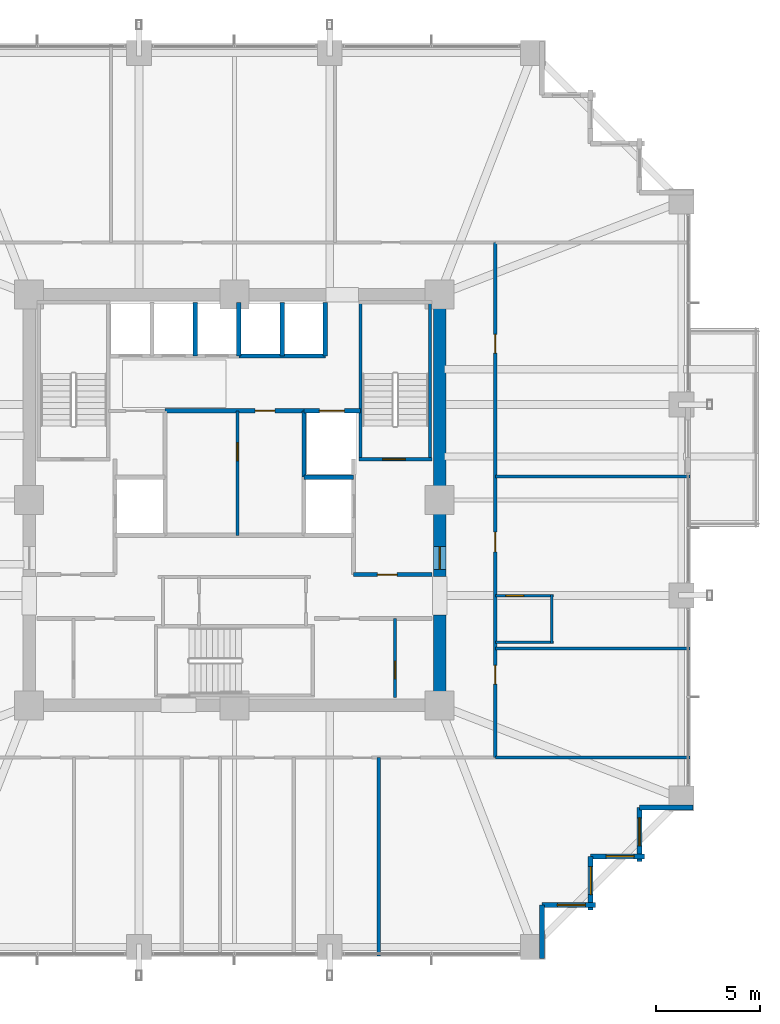
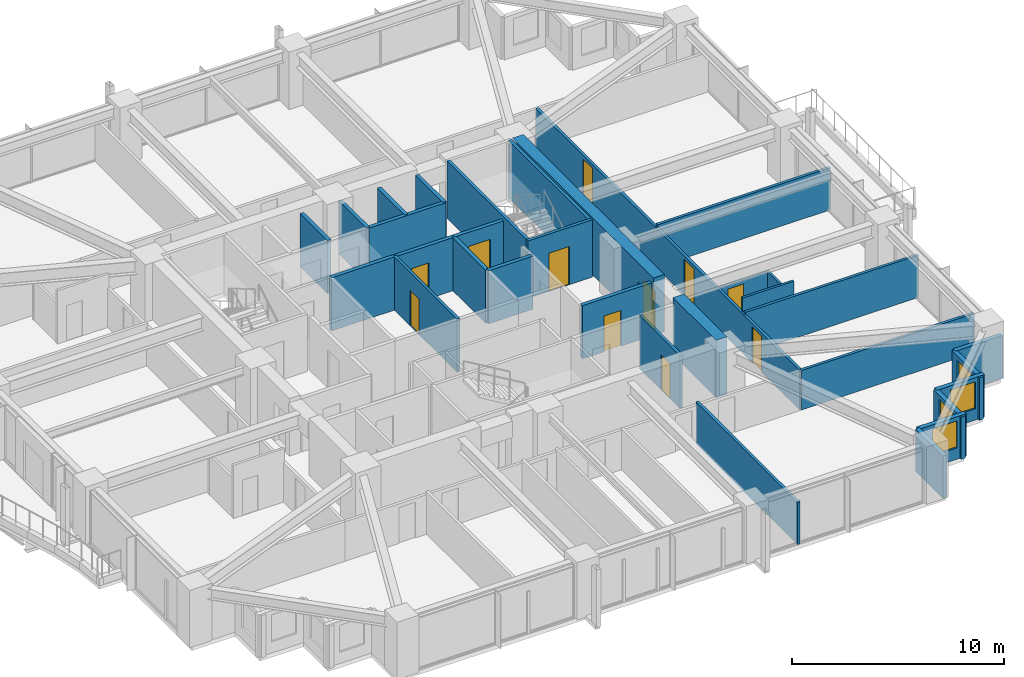
# One storey, part 34 of 38: 31 walls, 11 doors, 4 windows, 15 openings.
"""IFC4 building model written with IfcOpenShell, lengths in metres."""

from ifc_helpers import new_model, si_unit, direction, frame, frame_2d, origin, place, context, subcontext, project, spatial, rectangle, extrude, material, layer, layer_set, type_object, element, fill, save


model = new_model("IFC4")

# Units and contexts
model_context = context("Model", 3, precision=1e-05, world=origin(), true_north=direction((0.0, 1.0)))
body_context = subcontext(model_context, "Body", "Model", "MODEL_VIEW")
ifc_project = project(units=[si_unit("LENGTHUNIT", "METRE"), si_unit("AREAUNIT", "SQUARE_METRE"), si_unit("VOLUMEUNIT", "CUBIC_METRE"), si_unit("PLANEANGLEUNIT", "RADIAN"), si_unit("MASSUNIT", "GRAM", prefix="KILO")], contexts=[model_context])

# Site, building, storey
site_placement = place(None, origin())
site = spatial("IfcSite", under=ifc_project, at=site_placement, CompositionType="ELEMENT")
building_placement = place(site_placement, origin())
building = spatial("IfcBuilding", under=site, at=building_placement, Name="Kolvaren Belvedere", CompositionType="ELEMENT")
storey_placement = place(building_placement, frame((0.0, 0.0, 53.5)))
storey = spatial("IfcBuildingStorey", under=building, at=storey_placement, Name="L15", CompositionType="ELEMENT", Elevation=53.5)

# Wall
ifc_material_1 = material(Name="Concrete C60/75", Category="concrete")
ifc_layer_1 = layer(ifc_material_1, 0.60009765625)
ifc_layer_set_1 = layer_set([ifc_layer_1], Name="Concrete C60/75")
wall_type_1 = type_object("IfcWallType", Name="CW-CORE-600", PredefinedType="SHEAR", material=ifc_layer_set_1)
wall_1_placement = place(storey_placement, frame((9.89990234375, -9.60009765625, 0.0), z_axis=(0.0, 0.0, 1.0), x_axis=(0.0, 1.0, 0.0)))
element("IfcWall", 1, at=wall_1_placement, inside=storey, type_object=wall_type_1, Name="L15 East Core Shear Wall 1", PredefinedType="SHEAR", context=body_context, shape_type="SweptSolid", body=[
    extrude(rectangle(XDim=4.050048828125, YDim=0.60009765625, at=frame_2d((2.02490234375, 0.0))), origin(), (0.0, 0.0, 1.0), 3.300048828125),
])

# Wall, opening, door
wall_2_placement = place(storey_placement, frame((9.89990234375, -3.699951171875, 0.0), z_axis=(0.0, 0.0, 1.0), x_axis=(0.0, 1.0, 0.0)))
wall_2 = element("IfcWall", 2, at=wall_2_placement, inside=storey, type_object=wall_type_1, Name="L15 East Core Shear Wall 2", PredefinedType="SHEAR", context=body_context, shape_type="SweptSolid", body=[
    extrude(rectangle(XDim=13.300048828125, YDim=0.60009765625, at=frame_2d((6.64990234375, 0.0))), origin(), (0.0, 0.0, 1.0), 3.300048828125),
])
opening_1_placement = place(wall_2_placement, frame((0.35009765625, 0.0, 0.0)))
opening_1 = element("IfcOpeningElement", 3, at=opening_1_placement, cuts=wall_2, Name="Opening D-FD90", PredefinedType="OPENING", context=body_context, shape_type="SweptSolid", body=[
    extrude(rectangle(XDim=1.10009765625, YDim=2.199951171875, at=frame_2d((0.550048828125, 1.10009765625))), frame((0.0, 0.31005859375, 0.0), z_axis=(0.0, -1.0, 0.0), x_axis=(1.0, 0.0, 0.0)), (0.0, 0.0, 1.0), 0.6201171875),
])
ifc_material_2 = material(Name="Painted hollow stainless steel", Category="steel")
door_type_1 = type_object("IfcDoorType", Name="DR-FD90-1100", OperationType="NOTDEFINED", PredefinedType="DOOR", material=ifc_material_2)
door_1_placement = place(opening_1_placement, origin())
door_1 = element("IfcDoor", 4, at=door_1_placement, inside=storey, type_object=door_type_1, Name="L15 East Firefighting Lobby Fire Door", OperationType="SINGLE_SWING_RIGHT", OverallHeight=2.199951171875, OverallWidth=1.10009765625, PredefinedType="DOOR", context=body_context, shape_type="SweptSolid", body=[
    extrude(rectangle(XDim=1.10009765625, YDim=2.199951171875, at=frame_2d((0.550048828125, 1.10009765625))), frame((0.0, 0.02490234375, 0.0), z_axis=(0.0, -1.0, 0.0), x_axis=(1.0, 0.0, 0.0)), (0.0, 0.0, 1.0), 0.050048828125),
])
fill(opening_1, door_1)

ifc_material_3 = material(Name="Concrete C50/60", Category="concrete")
ifc_layer_2 = layer(ifc_material_3, 0.159912109375)
ifc_layer_set_2 = layer_set([ifc_layer_2], Name="Concrete C50/60")
wall_type_2 = type_object("IfcWallType", Name="CW-STAIR-160", PredefinedType="SHEAR", material=ifc_layer_set_2)
wall_3_placement = place(storey_placement, frame((6.0, 1.969970703125, 0.0), z_axis=(0.0, 0.0, 1.0), x_axis=(1.0, 0.0, 0.0)))
wall_3 = element("IfcWall", 5, at=wall_3_placement, inside=storey, type_object=wall_type_2, Name="L15 Stair ST-2 South Shear Wall", PredefinedType="SHEAR", context=body_context, shape_type="SweptSolid", body=[
    extrude(rectangle(XDim=3.52001953125, YDim=0.159912109375, at=frame_2d((1.760009765625, 0.0))), origin(), (0.0, 0.0, 1.0), 3.300048828125),
])
opening_2_placement = place(wall_3_placement, frame((1.14990234375, 0.0, 0.0)))
opening_2 = element("IfcOpeningElement", 6, at=opening_2_placement, cuts=wall_3, Name="Opening D-FD90", PredefinedType="OPENING", context=body_context, shape_type="SweptSolid", body=[
    extrude(rectangle(XDim=1.10009765625, YDim=2.199951171875, at=frame_2d((0.550048828125, 1.10009765625))), frame((0.0, 0.08984375, 0.0), z_axis=(0.0, -1.0, 0.0), x_axis=(1.0, 0.0, 0.0)), (0.0, 0.0, 1.0), 0.179931640625),
])
door_2_placement = place(opening_2_placement, origin())
door_2 = element("IfcDoor", 7, at=door_2_placement, inside=storey, type_object=door_type_1, Name="L15 Stair ST-2 Fire Door", OperationType="SINGLE_SWING_RIGHT", OverallHeight=2.199951171875, OverallWidth=1.10009765625, PredefinedType="DOOR", context=body_context, shape_type="SweptSolid", body=[
    extrude(rectangle(XDim=1.10009765625, YDim=2.199951171875, at=frame_2d((0.550048828125, 1.10009765625))), frame((0.0, 0.02490234375, 0.0), z_axis=(0.0, -1.0, 0.0), x_axis=(1.0, 0.0, 0.0)), (0.0, 0.0, 1.0), 0.050048828125),
])
fill(opening_2, door_2)

# Walls
for number, where, z_axis, x_axis, name in (
    (8, (6.080078125, 1.969970703125, 0.0), (0.0, 0.0, 1.0), (0.0, 1.0, 0.0), "L15 Stair ST-2 West Shear Wall"),
    (9, (9.429931640625, 1.969970703125, 0.0), (0.0, 0.0, 1.0), (0.0, 1.0, 0.0), "L15 Stair ST-2 East Shear Wall"),
):
    element("IfcWall", number, at=place(storey_placement, frame(where, z_axis=z_axis, x_axis=x_axis)), inside=storey, type_object=wall_type_2, Name=name, PredefinedType="SHEAR", context=body_context, shape_type="SweptSolid", body=[
        extrude(rectangle(XDim=7.56005859375, YDim=0.159912109375, at=frame_2d((3.780029296875, 0.0))), origin(), (0.0, 0.0, 1.0), 3.300048828125),
    ])

# Wall, openings, doors
ifc_material_4 = material(Name="Gypsum fire-rated partition assembly", Category="gypsum")
ifc_layer_3 = layer(ifc_material_4, 0.14990234375)
ifc_layer_set_3 = layer_set([ifc_layer_3], Name="Gypsum fire-rated partition assembly")
wall_type_3 = type_object("IfcWallType", Name="WL-CORR-150", PredefinedType="PARTITIONING", material=ifc_layer_set_3)
wall_4_placement = place(storey_placement, frame((12.580078125, -12.419921875, 0.0), z_axis=(0.0, 0.0, 1.0), x_axis=(0.0, 1.0, 0.0)))
wall_4 = element("IfcWall", 10, at=wall_4_placement, inside=storey, type_object=wall_type_3, Name="L15 East Corridor Wall", PredefinedType="PARTITIONING", context=body_context, shape_type="SweptSolid", body=[
    extrude(rectangle(XDim=24.83984375, YDim=0.14990234375, at=frame_2d((12.419921875, 0.0))), origin(), (0.0, 0.0, 1.0), 2.27197265625),
])
opening_3_placement = place(wall_4_placement, frame((3.5419921875, 0.0, 0.0)))
opening_3 = element("IfcOpeningElement", 11, at=opening_3_placement, cuts=wall_4, Name="Opening D-INT90", PredefinedType="OPENING", context=body_context, shape_type="SweptSolid", body=[
    extrude(rectangle(XDim=0.89990234375, YDim=2.06005859375, at=frame_2d((0.449951171875, 1.030029296875))), frame((0.0, 0.0849609375, 0.0), z_axis=(0.0, -1.0, 0.0), x_axis=(1.0, 0.0, 0.0)), (0.0, 0.0, 1.0), 0.169921875),
])
opening_4_placement = place(wall_4_placement, frame((9.9150390625, 0.0, 0.0)))
opening_4 = element("IfcOpeningElement", 12, at=opening_4_placement, cuts=wall_4, Name="Opening D-FD60", PredefinedType="OPENING", context=body_context, shape_type="SweptSolid", body=[
    extrude(rectangle(XDim=0.949951171875, YDim=2.06005859375, at=frame_2d((0.47509765625, 1.030029296875))), frame((0.0, 0.0849609375, 0.0), z_axis=(0.0, -1.0, 0.0), x_axis=(1.0, 0.0, 0.0)), (0.0, 0.0, 1.0), 0.169921875),
])
opening_5_placement = place(wall_4_placement, frame((19.5048828125, 0.0, 0.0)))
opening_5 = element("IfcOpeningElement", 13, at=opening_5_placement, cuts=wall_4, Name="Opening D-INT90", PredefinedType="OPENING", context=body_context, shape_type="SweptSolid", body=[
    extrude(rectangle(XDim=0.89990234375, YDim=2.06005859375, at=frame_2d((0.449951171875, 1.030029296875))), frame((0.0, 0.0849609375, 0.0), z_axis=(0.0, -1.0, 0.0), x_axis=(1.0, 0.0, 0.0)), (0.0, 0.0, 1.0), 0.169921875),
])
ifc_material_5 = material(Name="Acoustic white-oak fire door leaf", Category="timber")
door_type_2 = type_object("IfcDoorType", Name="DR-FD60-950", OperationType="NOTDEFINED", PredefinedType="DOOR", material=ifc_material_5)
door_3_placement = place(opening_4_placement, origin())
door_3 = element("IfcDoor", 14, at=door_3_placement, inside=storey, type_object=door_type_2, Name="L15 Botanical Hospitality Suite 1506 Entry Door", OperationType="SINGLE_SWING_LEFT", OverallHeight=2.06005859375, OverallWidth=0.949951171875, PredefinedType="DOOR", context=body_context, shape_type="SweptSolid", body=[
    extrude(rectangle(XDim=0.949951171875, YDim=2.06005859375, at=frame_2d((0.47509765625, 1.030029296875))), frame((0.0, 0.02490234375, 0.0), z_axis=(0.0, -1.0, 0.0), x_axis=(1.0, 0.0, 0.0)), (0.0, 0.0, 1.0), 0.050048828125),
])
fill(opening_4, door_3)
ifc_material_6 = material(Name="Stained Pacific white oak", Category="timber")
door_type_3 = type_object("IfcDoorType", Name="DR-INT-900", OperationType="NOTDEFINED", PredefinedType="DOOR", material=ifc_material_6)
door_4_placement = place(opening_3_placement, origin())
door_4 = element("IfcDoor", 15, at=door_4_placement, inside=storey, type_object=door_type_3, Name="L15 Private Hospitality Meeting Room 1505 Door", OperationType="SINGLE_SWING_LEFT", OverallHeight=2.06005859375, OverallWidth=0.89990234375, PredefinedType="DOOR", context=body_context, shape_type="SweptSolid", body=[
    extrude(rectangle(XDim=0.89990234375, YDim=2.06005859375, at=frame_2d((0.449951171875, 1.030029296875))), frame((0.0, 0.02490234375, 0.0), z_axis=(0.0, -1.0, 0.0), x_axis=(1.0, 0.0, 0.0)), (0.0, 0.0, 1.0), 0.050048828125),
])
fill(opening_3, door_4)
door_5_placement = place(opening_5_placement, origin())
door_5 = element("IfcDoor", 16, at=door_5_placement, inside=storey, type_object=door_type_3, Name="L15 Lounge 1507 Door", OperationType="SINGLE_SWING_RIGHT", OverallHeight=2.06005859375, OverallWidth=0.89990234375, PredefinedType="DOOR", context=body_context, shape_type="SweptSolid", body=[
    extrude(rectangle(XDim=0.89990234375, YDim=2.06005859375, at=frame_2d((0.449951171875, 1.030029296875))), frame((0.0, 0.02490234375, 0.0), z_axis=(0.0, -1.0, 0.0), x_axis=(1.0, 0.0, 0.0)), (0.0, 0.0, 1.0), 0.050048828125),
])
fill(opening_5, door_5)

# Wall
ifc_material_7 = material(Name="Insulated pale-metal facade wall assembly", Category="aluminium")
ifc_layer_4 = layer(ifc_material_7, 0.239990234375)
ifc_layer_set_4 = layer_set([ifc_layer_4], Name="Insulated pale-metal facade wall assembly")
wall_type_4 = type_object("IfcWallType", Name="WL-EXT-240", PredefinedType="STANDARD", material=ifc_layer_set_4)
wall_5_placement = place(storey_placement, frame((14.830078125, -19.530029296875, 0.0), z_axis=(0.0, 0.0, 1.0), x_axis=(0.0, -1.0, 0.0)))
element("IfcWall", 17, at=wall_5_placement, inside=storey, type_object=wall_type_4, Name="L15 Serrated Corner Facade Wall 2", PredefinedType="STANDARD", context=body_context, shape_type="SweptSolid", body=[
    extrude(rectangle(XDim=2.590087890625, YDim=0.239990234375, at=frame_2d((1.294921875, 0.0))), origin(), (0.0, 0.0, 1.0), 2.43896484375),
])

# Wall, opening, window
wall_6_placement = place(storey_placement, frame((17.419921875, -19.530029296875, 0.0), z_axis=(0.0, 0.0, 1.0), x_axis=(-1.0, 0.0, 0.0)))
wall_6 = element("IfcWall", 18, at=wall_6_placement, inside=storey, type_object=wall_type_4, Name="L15 Serrated Corner Facade Wall 3", PredefinedType="STANDARD", context=body_context, shape_type="SweptSolid", body=[
    extrude(rectangle(XDim=2.58984375, YDim=0.239990234375, at=frame_2d((1.294921875, 0.0))), origin(), (0.0, 0.0, 1.0), 2.43896484375),
])
opening_6_placement = place(wall_6_placement, frame((0.5, 0.0, 0.64990234375)))
opening_6 = element("IfcOpeningElement", 19, at=opening_6_placement, cuts=wall_6, Name="Opening W-1350", PredefinedType="OPENING", context=body_context, shape_type="SweptSolid", body=[
    extrude(rectangle(XDim=1.35009765625, YDim=1.550048828125, at=frame_2d((0.675048828125, 0.77490234375))), frame((0.0, 0.1298828125, 0.0), z_axis=(0.0, -1.0, 0.0), x_axis=(1.0, 0.0, 0.0)), (0.0, 0.0, 1.0), 0.260009765625),
])
ifc_material_8 = material(Name="Low-iron triple insulated glass", Category="glass")
window_type = type_object("IfcWindowType", Name="WN-CORN-1350", PartitioningType="SINGLE_PANEL", PredefinedType="WINDOW", material=ifc_material_8)
window_1_placement = place(opening_6_placement, origin())
window_1 = element("IfcWindow", 20, at=window_1_placement, inside=storey, type_object=window_type, Name="L15 Serrated Corner Vision Window 3", OverallHeight=1.550048828125, OverallWidth=1.35009765625, PartitioningType="SINGLE_PANEL", PredefinedType="WINDOW", context=body_context, shape_type="SweptSolid", body=[
    extrude(rectangle(XDim=1.35009765625, YDim=1.550048828125, at=frame_2d((0.675048828125, 0.77490234375))), frame((0.0, 0.030029296875, 0.0), z_axis=(0.0, -1.0, 0.0), x_axis=(1.0, 0.0, 0.0)), (0.0, 0.0, 1.0), 0.06005859375),
])
fill(opening_6, window_1)

wall_7_placement = place(storey_placement, frame((17.179931640625, -17.179931640625, 0.0), z_axis=(0.0, 0.0, 1.0), x_axis=(0.0, -1.0, 0.0)))
wall_7 = element("IfcWall", 21, at=wall_7_placement, inside=storey, type_object=wall_type_4, Name="L15 Serrated Corner Facade Wall 4", PredefinedType="STANDARD", context=body_context, shape_type="SweptSolid", body=[
    extrude(rectangle(XDim=2.590087890625, YDim=0.239990234375, at=frame_2d((1.294921875, 0.0))), origin(), (0.0, 0.0, 1.0), 2.43896484375),
])
opening_7_placement = place(wall_7_placement, frame((0.5, 0.0, 0.64990234375)))
opening_7 = element("IfcOpeningElement", 22, at=opening_7_placement, cuts=wall_7, Name="Opening W-1350", PredefinedType="OPENING", context=body_context, shape_type="SweptSolid", body=[
    extrude(rectangle(XDim=1.35009765625, YDim=1.550048828125, at=frame_2d((0.675048828125, 0.77490234375))), frame((0.0, 0.1298828125, 0.0), z_axis=(0.0, -1.0, 0.0), x_axis=(1.0, 0.0, 0.0)), (0.0, 0.0, 1.0), 0.260009765625),
])
window_2_placement = place(opening_7_placement, origin())
window_2 = element("IfcWindow", 23, at=window_2_placement, inside=storey, type_object=window_type, Name="L15 Serrated Corner Vision Window 4", OverallHeight=1.550048828125, OverallWidth=1.35009765625, PartitioningType="SINGLE_PANEL", PredefinedType="WINDOW", context=body_context, shape_type="SweptSolid", body=[
    extrude(rectangle(XDim=1.35009765625, YDim=1.550048828125, at=frame_2d((0.675048828125, 0.77490234375))), frame((0.0, 0.030029296875, 0.0), z_axis=(0.0, -1.0, 0.0), x_axis=(1.0, 0.0, 0.0)), (0.0, 0.0, 1.0), 0.06005859375),
])
fill(opening_7, window_2)

wall_8_placement = place(storey_placement, frame((19.77001953125, -17.179931640625, 0.0), z_axis=(0.0, 0.0, 1.0), x_axis=(-1.0, 0.0, 0.0)))
wall_8 = element("IfcWall", 24, at=wall_8_placement, inside=storey, type_object=wall_type_4, Name="L15 Serrated Corner Facade Wall 5", PredefinedType="STANDARD", context=body_context, shape_type="SweptSolid", body=[
    extrude(rectangle(XDim=2.590087890625, YDim=0.239990234375, at=frame_2d((1.294921875, 0.0))), origin(), (0.0, 0.0, 1.0), 2.43896484375),
])
opening_8_placement = place(wall_8_placement, frame((0.5, 0.0, 0.64990234375)))
opening_8 = element("IfcOpeningElement", 25, at=opening_8_placement, cuts=wall_8, Name="Opening W-1350", PredefinedType="OPENING", context=body_context, shape_type="SweptSolid", body=[
    extrude(rectangle(XDim=1.35009765625, YDim=1.550048828125, at=frame_2d((0.675048828125, 0.77490234375))), frame((0.0, 0.1298828125, 0.0), z_axis=(0.0, -1.0, 0.0), x_axis=(1.0, 0.0, 0.0)), (0.0, 0.0, 1.0), 0.260009765625),
])
window_3_placement = place(opening_8_placement, origin())
window_3 = element("IfcWindow", 26, at=window_3_placement, inside=storey, type_object=window_type, Name="L15 Serrated Corner Vision Window 5", OverallHeight=1.550048828125, OverallWidth=1.35009765625, PartitioningType="SINGLE_PANEL", PredefinedType="WINDOW", context=body_context, shape_type="SweptSolid", body=[
    extrude(rectangle(XDim=1.35009765625, YDim=1.550048828125, at=frame_2d((0.675048828125, 0.77490234375))), frame((0.0, 0.030029296875, 0.0), z_axis=(0.0, -1.0, 0.0), x_axis=(1.0, 0.0, 0.0)), (0.0, 0.0, 1.0), 0.06005859375),
])
fill(opening_8, window_3)

wall_9_placement = place(storey_placement, frame((19.530029296875, -14.830078125, 0.0), z_axis=(0.0, 0.0, 1.0), x_axis=(0.0, -1.0, 0.0)))
wall_9 = element("IfcWall", 27, at=wall_9_placement, inside=storey, type_object=wall_type_4, Name="L15 Serrated Corner Facade Wall 6", PredefinedType="STANDARD", context=body_context, shape_type="SweptSolid", body=[
    extrude(rectangle(XDim=2.58984375, YDim=0.239990234375, at=frame_2d((1.294921875, 0.0))), origin(), (0.0, 0.0, 1.0), 2.43896484375),
])
opening_9_placement = place(wall_9_placement, frame((0.5, 0.0, 0.64990234375)))
opening_9 = element("IfcOpeningElement", 28, at=opening_9_placement, cuts=wall_9, Name="Opening W-1350", PredefinedType="OPENING", context=body_context, shape_type="SweptSolid", body=[
    extrude(rectangle(XDim=1.35009765625, YDim=1.550048828125, at=frame_2d((0.675048828125, 0.77490234375))), frame((0.0, 0.1298828125, 0.0), z_axis=(0.0, -1.0, 0.0), x_axis=(1.0, 0.0, 0.0)), (0.0, 0.0, 1.0), 0.260009765625),
])
window_4_placement = place(opening_9_placement, origin())
window_4 = element("IfcWindow", 29, at=window_4_placement, inside=storey, type_object=window_type, Name="L15 Serrated Corner Vision Window 6", OverallHeight=1.550048828125, OverallWidth=1.35009765625, PartitioningType="SINGLE_PANEL", PredefinedType="WINDOW", context=body_context, shape_type="SweptSolid", body=[
    extrude(rectangle(XDim=1.35009765625, YDim=1.550048828125, at=frame_2d((0.675048828125, 0.77490234375))), frame((0.0, 0.030029296875, 0.0), z_axis=(0.0, -1.0, 0.0), x_axis=(1.0, 0.0, 0.0)), (0.0, 0.0, 1.0), 0.06005859375),
])
fill(opening_9, window_4)

# Wall
wall_10_placement = place(storey_placement, frame((22.1201171875, -14.830078125, 0.0), z_axis=(0.0, 0.0, 1.0), x_axis=(-1.0, 0.0, 0.0)))
element("IfcWall", 30, at=wall_10_placement, inside=storey, type_object=wall_type_4, Name="L15 Serrated Corner Facade Wall 7", PredefinedType="STANDARD", context=body_context, shape_type="SweptSolid", body=[
    extrude(rectangle(XDim=2.590087890625, YDim=0.239990234375, at=frame_2d((1.294921875, 0.0))), origin(), (0.0, 0.0, 1.0), 2.43896484375),
])

# Wall, opening, door
ifc_material_9 = material(Name="Gypsum acoustic partition assembly", Category="gypsum")
ifc_layer_5 = layer(ifc_material_9, 0.14990234375)
ifc_layer_set_5 = layer_set([ifc_layer_5], Name="Gypsum acoustic partition assembly")
wall_type_5 = type_object("IfcWallType", Name="WL-PART-150", PredefinedType="PARTITIONING", material=ifc_layer_set_5)
wall_11_placement = place(storey_placement, frame((7.75, -9.52001953125, 0.0), z_axis=(0.0, 0.0, 1.0), x_axis=(0.0, 1.0, 0.0)))
wall_11 = element("IfcWall", 31, at=wall_11_placement, inside=storey, type_object=wall_type_5, Name="L15 SE Core Asymmetric Divider", PredefinedType="PARTITIONING", context=body_context, shape_type="SweptSolid", body=[
    extrude(rectangle(XDim=3.800048828125, YDim=0.14990234375, at=frame_2d((1.89990234375, 0.0))), origin(), (0.0, 0.0, 1.0), 3.06005859375),
])
opening_10_placement = place(wall_11_placement, frame((0.89990234375, 0.0, 0.0)))
opening_10 = element("IfcOpeningElement", 32, at=opening_10_placement, cuts=wall_11, Name="Opening D-INT85", PredefinedType="OPENING", context=body_context, shape_type="SweptSolid", body=[
    extrude(rectangle(XDim=0.85009765625, YDim=2.030029296875, at=frame_2d((0.425048828125, 1.01513671875))), frame((0.0, 0.0849609375, 0.0), z_axis=(0.0, -1.0, 0.0), x_axis=(1.0, 0.0, 0.0)), (0.0, 0.0, 1.0), 0.169921875),
])
ifc_material_10 = material(Name="Stained Pacific white oak", Category="timber")
door_type_4 = type_object("IfcDoorType", Name="DR-INT-850", OperationType="NOTDEFINED", PredefinedType="DOOR", material=ifc_material_10)
door_6_placement = place(opening_10_placement, origin())
door_6 = element("IfcDoor", 33, at=door_6_placement, inside=storey, type_object=door_type_4, Name="L15 SE Janitor Door", OperationType="SINGLE_SWING_LEFT", OverallHeight=2.030029296875, OverallWidth=0.85009765625, PredefinedType="DOOR", context=body_context, shape_type="SweptSolid", body=[
    extrude(rectangle(XDim=0.85009765625, YDim=2.030029296875, at=frame_2d((0.425048828125, 1.01513671875))), frame((0.0, 0.02490234375, 0.0), z_axis=(0.0, -1.0, 0.0), x_axis=(1.0, 0.0, 0.0)), (0.0, 0.0, 1.0), 0.050048828125),
])
fill(opening_10, door_6)

wall_12_placement = place(storey_placement, frame((0.14990234375, -1.699951171875, 0.0), z_axis=(0.0, 0.0, 1.0), x_axis=(0.0, 1.0, 0.0)))
wall_12 = element("IfcWall", 34, at=wall_12_placement, inside=storey, type_object=wall_type_5, Name="L15 Central Core V-Divider", PredefinedType="PARTITIONING", context=body_context, shape_type="SweptSolid", body=[
    extrude(rectangle(XDim=6.0, YDim=0.14990234375, at=frame_2d((3.0, 0.0))), origin(), (0.0, 0.0, 1.0), 3.06005859375),
])
opening_11_placement = place(wall_12_placement, frame((3.60009765625, 0.0, 0.0)))
opening_11 = element("IfcOpeningElement", 35, at=opening_11_placement, cuts=wall_12, Name="Opening D-INT85", PredefinedType="OPENING", context=body_context, shape_type="SweptSolid", body=[
    extrude(rectangle(XDim=0.85009765625, YDim=2.030029296875, at=frame_2d((0.425048828125, 1.01513671875))), frame((0.0, 0.0849609375, 0.0), z_axis=(0.0, -1.0, 0.0), x_axis=(1.0, 0.0, 0.0)), (0.0, 0.0, 1.0), 0.169921875),
])
door_7_placement = place(opening_11_placement, origin())
door_7 = element("IfcDoor", 36, at=door_7_placement, inside=storey, type_object=door_type_4, Name="L15 Central Linen Door", OperationType="SINGLE_SWING_RIGHT", OverallHeight=2.030029296875, OverallWidth=0.85009765625, PredefinedType="DOOR", context=body_context, shape_type="SweptSolid", body=[
    extrude(rectangle(XDim=0.85009765625, YDim=2.030029296875, at=frame_2d((0.425048828125, 1.01513671875))), frame((0.0, 0.02490234375, 0.0), z_axis=(0.0, -1.0, 0.0), x_axis=(1.0, 0.0, 0.0)), (0.0, 0.0, 1.0), 0.050048828125),
])
fill(opening_11, door_7)

# Walls
wall_13_placement = place(storey_placement, frame((12.580078125, -12.419921875, 0.0), z_axis=(0.0, 0.0, 1.0), x_axis=(1.0, 0.0, 0.0)))
element("IfcWall", 37, at=wall_13_placement, inside=storey, type_object=wall_type_5, Name="L15 Wing Divider PW-L15-QSE", PredefinedType="PARTITIONING", context=body_context, shape_type="SweptSolid", body=[
    extrude(rectangle(XDim=9.39990234375, YDim=0.14990234375, at=frame_2d((4.699951171875, 0.0))), origin(), (0.0, 0.0, 1.0), 2.27197265625),
])
wall_14_placement = place(storey_placement, frame((6.9599609375, -21.97998046875, 0.0), z_axis=(0.0, 0.0, 1.0), x_axis=(0.0, 1.0, 0.0)))
element("IfcWall", 38, at=wall_14_placement, inside=storey, type_object=wall_type_5, Name="L15 South Suite Demising Wall 4", PredefinedType="PARTITIONING", context=body_context, shape_type="SweptSolid", body=[
    extrude(rectangle(XDim=9.56005859375, YDim=0.14990234375, at=frame_2d((4.780029296875, 0.0))), origin(), (0.0, 0.0, 1.0), 2.428955078125),
])
for number, where, z_axis, x_axis, name in (
    (39, (12.580078125, -7.159912109375, 0.0), (0.0, 0.0, 1.0), (1.0, 0.0, 0.0), "L15 East Suite Demising Wall 1"),
    (40, (12.580078125, 1.139892578125, 0.0), (0.0, 0.0, 1.0), (1.0, 0.0, 0.0), "L15 East Suite Demising Wall 2"),
):
    element("IfcWall", number, at=place(storey_placement, frame(where, z_axis=z_axis, x_axis=x_axis)), inside=storey, type_object=wall_type_5, Name=name, PredefinedType="PARTITIONING", context=body_context, shape_type="SweptSolid", body=[
        extrude(rectangle(XDim=9.39990234375, YDim=0.14990234375, at=frame_2d((4.699951171875, 0.0))), origin(), (0.0, 0.0, 1.0), 2.428955078125),
    ])

# Wall, opening, door
ifc_material_11 = material(Name="Concrete C50/60", Category="concrete")
ifc_layer_6 = layer(ifc_material_11, 0.199951171875)
ifc_layer_set_6 = layer_set([ifc_layer_6], Name="Concrete C50/60")
wall_type_6 = type_object("IfcWallType", Name="WL-SHAFT-200", PredefinedType="SOLIDWALL", material=ifc_layer_set_6)
wall_15_placement = place(storey_placement, frame((5.75, -3.60009765625, 0.0), z_axis=(0.0, 0.0, 1.0), x_axis=(1.0, 0.0, 0.0)))
wall_15 = element("IfcWall", 41, at=wall_15_placement, inside=storey, type_object=wall_type_6, Name="L15 East FSAE Lobby South Wall", PredefinedType="SOLIDWALL", context=body_context, shape_type="SweptSolid", body=[
    extrude(rectangle(XDim=3.77001953125, YDim=0.199951171875, at=frame_2d((1.885009765625, 0.0))), origin(), (0.0, 0.0, 1.0), 3.06005859375),
])
opening_12_placement = place(wall_15_placement, frame((1.14990234375, 0.0, 0.0)))
opening_12 = element("IfcOpeningElement", 42, at=opening_12_placement, cuts=wall_15, Name="Opening D-FD60", PredefinedType="OPENING", context=body_context, shape_type="SweptSolid", body=[
    extrude(rectangle(XDim=0.949951171875, YDim=2.06005859375, at=frame_2d((0.47509765625, 1.030029296875))), frame((0.0, 0.10986328125, 0.0), z_axis=(0.0, -1.0, 0.0), x_axis=(1.0, 0.0, 0.0)), (0.0, 0.0, 1.0), 0.219970703125),
])
door_8_placement = place(opening_12_placement, origin())
door_8 = element("IfcDoor", 43, at=door_8_placement, inside=storey, type_object=door_type_2, Name="L15 SE Lift Lobby Fire Door", OperationType="SINGLE_SWING_RIGHT", OverallHeight=2.06005859375, OverallWidth=0.949951171875, PredefinedType="DOOR", context=body_context, shape_type="SweptSolid", body=[
    extrude(rectangle(XDim=0.949951171875, YDim=2.06005859375, at=frame_2d((0.47509765625, 1.030029296875))), frame((0.0, 0.02490234375, 0.0), z_axis=(0.0, -1.0, 0.0), x_axis=(1.0, 0.0, 0.0)), (0.0, 0.0, 1.0), 0.050048828125),
])
fill(opening_12, door_8)

# Wall
wall_16_placement = place(storey_placement, frame((3.35009765625, 1.10009765625, 0.0), z_axis=(0.0, 0.0, 1.0), x_axis=(1.0, 0.0, 0.0)))
element("IfcWall", 44, at=wall_16_placement, inside=storey, type_object=wall_type_6, Name="L15 FSAE FS2 North Wall", PredefinedType="SOLIDWALL", context=body_context, shape_type="SweptSolid", body=[
    extrude(rectangle(XDim=2.39990234375, YDim=0.199951171875, at=frame_2d((1.199951171875, 0.0))), origin(), (0.0, 0.0, 1.0), 3.06005859375),
])

# Wall, opening, door
wall_17_placement = place(storey_placement, frame((3.35009765625, 4.300048828125, 0.0), z_axis=(0.0, 0.0, 1.0), x_axis=(1.0, 0.0, 0.0)))
wall_17 = element("IfcWall", 45, at=wall_17_placement, inside=storey, type_object=wall_type_6, Name="L15 Service Lift SV1 Front Wall", PredefinedType="SOLIDWALL", context=body_context, shape_type="SweptSolid", body=[
    extrude(rectangle(XDim=2.72998046875, YDim=0.199951171875, at=frame_2d((1.364990234375, 0.0))), origin(), (0.0, 0.0, 1.0), 3.06005859375),
])
opening_13_placement = place(wall_17_placement, frame((0.75, 0.0, 0.0)))
opening_13 = element("IfcOpeningElement", 46, at=opening_13_placement, cuts=wall_17, Name="Opening LD-12", PredefinedType="OPENING", context=body_context, shape_type="SweptSolid", body=[
    extrude(rectangle(XDim=1.199951171875, YDim=2.25, at=frame_2d((0.60009765625, 1.125))), frame((0.0, 0.10986328125, 0.0), z_axis=(0.0, -1.0, 0.0), x_axis=(1.0, 0.0, 0.0)), (0.0, 0.0, 1.0), 0.219970703125),
])
ifc_material_12 = material(Name="Brushed stainless steel", Category="steel")
door_type_5 = type_object("IfcDoorType", Name="DR-LIFT-1200", OperationType="DOUBLE_DOOR_SLIDING", PredefinedType="DOOR", material=ifc_material_12)
door_9_placement = place(opening_13_placement, origin())
door_9 = element("IfcDoor", 47, at=door_9_placement, inside=storey, type_object=door_type_5, Name="L15 Service Lift SV1 Landing Door", OperationType="DOUBLE_DOOR_SLIDING", OverallHeight=2.25, OverallWidth=1.199951171875, PredefinedType="DOOR", context=body_context, shape_type="SweptSolid", body=[
    extrude(rectangle(XDim=1.199951171875, YDim=2.25, at=frame_2d((0.60009765625, 1.125))), frame((0.0, 0.02490234375, 0.0), z_axis=(0.0, -1.0, 0.0), x_axis=(1.0, 0.0, 0.0)), (0.0, 0.0, 1.0), 0.050048828125),
])
fill(opening_13, door_9)

# Walls
for number, where, z_axis, x_axis, name in (
    (48, (-1.889892578125, 6.949951171875, 0.0), (0.0, 0.0, 1.0), (0.0, 1.0, 0.0), "L15 Low-Rise Hoistway Divider 2"),
    (49, (0.2099609375, 6.949951171875, 0.0), (0.0, 0.0, 1.0), (0.0, 1.0, 0.0), "L15 Low-Rise Hoistway Divider 3"),
):
    element("IfcWall", number, at=place(storey_placement, frame(where, z_axis=z_axis, x_axis=x_axis)), inside=storey, type_object=wall_type_6, Name=name, PredefinedType="SOLIDWALL", context=body_context, shape_type="SweptSolid", body=[
        extrude(rectangle(XDim=2.570068359375, YDim=0.199951171875, at=frame_2d((1.28515625, 0.0))), origin(), (0.0, 0.0, 1.0), 3.06005859375),
    ])
wall_18_placement = place(storey_placement, frame((0.219970703125, 6.949951171875, 0.0), z_axis=(0.0, 0.0, 1.0), x_axis=(1.0, 0.0, 0.0)))
element("IfcWall", 50, at=wall_18_placement, inside=storey, type_object=wall_type_6, Name="L15 Express Shuttle Hoistway Wall", PredefinedType="SOLIDWALL", context=body_context, shape_type="SweptSolid", body=[
    extrude(rectangle(XDim=4.179931640625, YDim=0.199951171875, at=frame_2d((2.08984375, 0.0))), origin(), (0.0, 0.0, 1.0), 3.06005859375),
])
for number, where, z_axis, x_axis, name in (
    (51, (4.3798828125, 6.949951171875, 0.0), (0.0, 0.0, 1.0), (0.0, 1.0, 0.0), "L15 Express Shuttle East Wall"),
    (52, (2.31005859375, 6.949951171875, 0.0), (0.0, 0.0, 1.0), (0.0, 1.0, 0.0), "L15 Express Shuttle Divider"),
):
    element("IfcWall", number, at=place(storey_placement, frame(where, z_axis=z_axis, x_axis=x_axis)), inside=storey, type_object=wall_type_6, Name=name, PredefinedType="SOLIDWALL", context=body_context, shape_type="SweptSolid", body=[
        extrude(rectangle(XDim=2.570068359375, YDim=0.199951171875, at=frame_2d((1.28515625, 0.0))), origin(), (0.0, 0.0, 1.0), 3.06005859375),
    ])

# Wall, opening, door
wall_19_placement = place(storey_placement, frame((-3.35009765625, 4.300048828125, 0.0), z_axis=(0.0, 0.0, 1.0), x_axis=(1.0, 0.0, 0.0)))
wall_19 = element("IfcWall", 53, at=wall_19_placement, inside=storey, type_object=wall_type_6, Name="L15 Central Core Room North Wall", PredefinedType="SOLIDWALL", context=body_context, shape_type="SweptSolid", body=[
    extrude(rectangle(XDim=6.7001953125, YDim=0.199951171875, at=frame_2d((3.35009765625, 0.0))), origin(), (0.0, 0.0, 1.0), 3.06005859375),
])
opening_14_placement = place(wall_19_placement, frame((4.35009765625, 0.0, 0.0)))
opening_14 = element("IfcOpeningElement", 54, at=opening_14_placement, cuts=wall_19, Name="Opening D-FD60", PredefinedType="OPENING", context=body_context, shape_type="SweptSolid", body=[
    extrude(rectangle(XDim=0.949951171875, YDim=2.06005859375, at=frame_2d((0.47509765625, 1.030029296875))), frame((0.0, 0.10986328125, 0.0), z_axis=(0.0, -1.0, 0.0), x_axis=(1.0, 0.0, 0.0)), (0.0, 0.0, 1.0), 0.219970703125),
])
door_10_placement = place(opening_14_placement, origin())
door_10 = element("IfcDoor", 55, at=door_10_placement, inside=storey, type_object=door_type_2, Name="L15 Central Core Controls Door", OperationType="SINGLE_SWING_LEFT", OverallHeight=2.06005859375, OverallWidth=0.949951171875, PredefinedType="DOOR", context=body_context, shape_type="SweptSolid", body=[
    extrude(rectangle(XDim=0.949951171875, YDim=2.06005859375, at=frame_2d((0.47509765625, 1.030029296875))), frame((0.0, 0.02490234375, 0.0), z_axis=(0.0, -1.0, 0.0), x_axis=(1.0, 0.0, 0.0)), (0.0, 0.0, 1.0), 0.050048828125),
])
fill(opening_14, door_10)

# Wall
wall_20_placement = place(storey_placement, frame((3.35009765625, 1.10009765625, 0.0), z_axis=(0.0, 0.0, 1.0), x_axis=(0.0, 1.0, 0.0)))
element("IfcWall", 56, at=wall_20_placement, inside=storey, type_object=wall_type_6, Name="L15 Central Core Room East Wall", PredefinedType="SOLIDWALL", context=body_context, shape_type="SweptSolid", body=[
    extrude(rectangle(XDim=3.199951171875, YDim=0.199951171875, at=frame_2d((1.60009765625, 0.0))), origin(), (0.0, 0.0, 1.0), 3.06005859375),
])

# Wall, opening, door
ifc_material_13 = material(Name="Moisture-resistant gypsum partition", Category="gypsum")
ifc_layer_7 = layer(ifc_material_13, 0.125)
ifc_layer_set_7 = layer_set([ifc_layer_7], Name="Moisture-resistant gypsum partition")
wall_type_7 = type_object("IfcWallType", Name="WL-WET-125", PredefinedType="PARTITIONING", material=ifc_layer_set_7)
wall_21_placement = place(storey_placement, frame((12.594970703125, -4.615966796875, 0.0), z_axis=(0.0, 0.0, 1.0), x_axis=(1.0, 0.0, 0.0)))
wall_21 = element("IfcWall", 57, at=wall_21_placement, inside=storey, type_object=wall_type_7, Name="L15 Bathroom Partition PW-L15-BTH-6-N", PredefinedType="PARTITIONING", context=body_context, shape_type="SweptSolid", body=[
    extrude(rectangle(XDim=2.7900390625, YDim=0.125, at=frame_2d((1.39501953125, 0.0))), origin(), (0.0, 0.0, 1.0), 2.27197265625),
])
opening_15_placement = place(wall_21_placement, frame((0.5, 0.0, 0.0)))
opening_15 = element("IfcOpeningElement", 58, at=opening_15_placement, cuts=wall_21, Name="Opening D-BTH85", PredefinedType="OPENING", context=body_context, shape_type="SweptSolid", body=[
    extrude(rectangle(XDim=0.85009765625, YDim=2.030029296875, at=frame_2d((0.425048828125, 1.01513671875))), frame((0.0, 0.072509765625, 0.0), z_axis=(0.0, -1.0, 0.0), x_axis=(1.0, 0.0, 0.0)), (0.0, 0.0, 1.0), 0.14501953125),
])
ifc_material_14 = material(Name="Moisture-sealed Pacific white oak", Category="timber")
door_type_6 = type_object("IfcDoorType", Name="DR-BATH-850", OperationType="NOTDEFINED", PredefinedType="DOOR", material=ifc_material_14)
door_11_placement = place(opening_15_placement, origin())
door_11 = element("IfcDoor", 59, at=door_11_placement, inside=storey, type_object=door_type_6, Name="L15 En-Suite Bathroom 1506 Door", OperationType="SINGLE_SWING_RIGHT", OverallHeight=2.030029296875, OverallWidth=0.85009765625, PredefinedType="DOOR", context=body_context, shape_type="SweptSolid", body=[
    extrude(rectangle(XDim=0.85009765625, YDim=2.030029296875, at=frame_2d((0.425048828125, 1.01513671875))), frame((0.0, 0.02490234375, 0.0), z_axis=(0.0, -1.0, 0.0), x_axis=(1.0, 0.0, 0.0)), (0.0, 0.0, 1.0), 0.050048828125),
])
fill(opening_15, door_11)

# Walls
wall_22_placement = place(storey_placement, frame((15.304931640625, -6.926025390625, 0.0), z_axis=(0.0, 0.0, 1.0), x_axis=(0.0, 1.0, 0.0)))
element("IfcWall", 60, at=wall_22_placement, inside=storey, type_object=wall_type_7, Name="L15 Bathroom Partition PW-L15-BTH-6-V", PredefinedType="PARTITIONING", context=body_context, shape_type="SweptSolid", body=[
    extrude(rectangle(XDim=2.3701171875, YDim=0.125, at=frame_2d((1.18505859375, 0.0))), origin(), (0.0, 0.0, 1.0), 2.27197265625),
])
wall_23_placement = place(storey_placement, frame((12.594970703125, -6.865966796875, 0.0), z_axis=(0.0, 0.0, 1.0), x_axis=(1.0, 0.0, 0.0)))
element("IfcWall", 61, at=wall_23_placement, inside=storey, type_object=wall_type_7, Name="L15 Bathroom Partition PW-L15-BTH-6-S", PredefinedType="PARTITIONING", context=body_context, shape_type="SweptSolid", body=[
    extrude(rectangle(XDim=2.7900390625, YDim=0.125, at=frame_2d((1.39501953125, 0.0))), origin(), (0.0, 0.0, 1.0), 3.06005859375),
])

save(model, "model.ifc")
